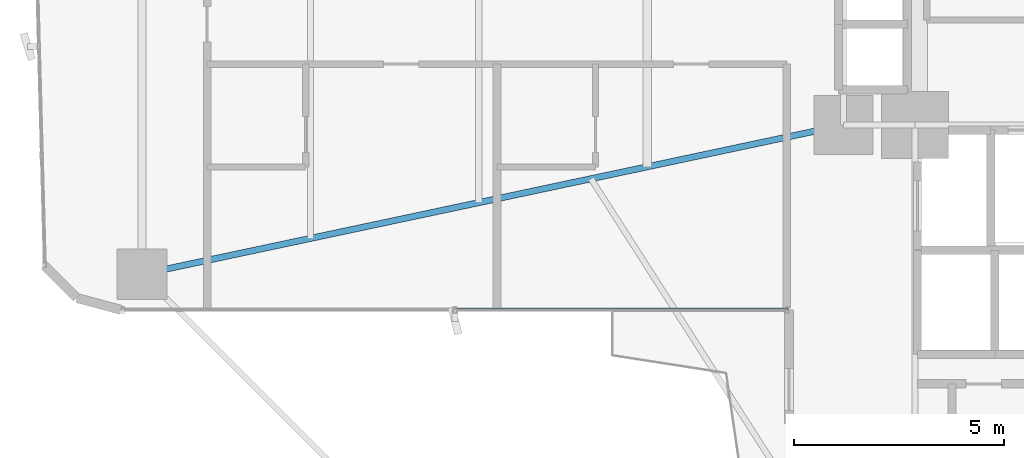
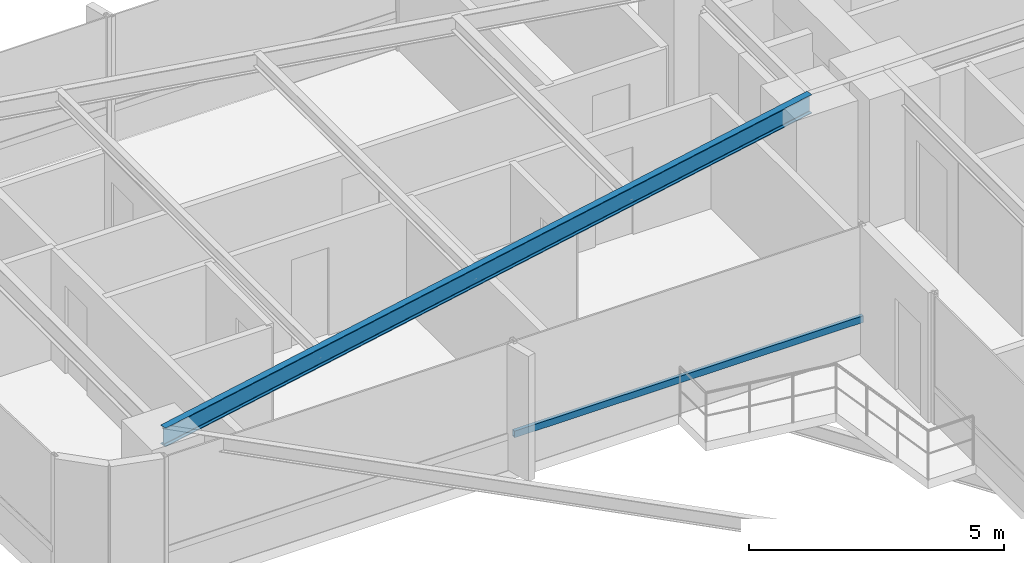
# One storey, part 7 of 26: 1 beam, 1 member, 1 element without a shape of its own.
"""IFC4 building model written with IfcOpenShell, lengths in metres."""

from ifc_helpers import new_model, si_unit, direction, frame, origin, origin_2d, place, context, subcontext, project, spatial, hollow_rectangle, i_section, extrude, source, transform, mapped, material, material_profile, profile_set, type_object, element, aggregate, save


model = new_model("IFC4")

# Units and contexts
model_context = context("Model", 3, precision=1e-05, world=origin(), true_north=direction((0.0, 1.0)))
body_context = subcontext(model_context, "Body", "Model", "MODEL_VIEW")
ifc_project = project(units=[si_unit("LENGTHUNIT", "METRE"), si_unit("AREAUNIT", "SQUARE_METRE"), si_unit("VOLUMEUNIT", "CUBIC_METRE"), si_unit("PLANEANGLEUNIT", "RADIAN"), si_unit("MASSUNIT", "GRAM", prefix="KILO")], contexts=[model_context])

# Site, building, storey
site_placement = place(None, origin())
site = spatial("IfcSite", under=ifc_project, at=site_placement, CompositionType="ELEMENT")
building_placement = place(site_placement, origin())
building = spatial("IfcBuilding", under=site, at=building_placement, Name="Sahyath Konkavel Grand Hotel", CompositionType="ELEMENT")
storey_placement = place(building_placement, frame((0.0, 0.0, 51.050048828125)))
storey = spatial("IfcBuildingStorey", under=building, at=storey_placement, Name="L13", CompositionType="ELEMENT", Elevation=51.050048828125)

# Beam
ifc_material_1 = material(Name="Steel E350", Category="steel")
ifc_material_profile_1 = material_profile(ifc_material_1, i_section(OverallWidth=0.14990234375, OverallDepth=0.449951171875, WebThickness=0.009521484375, FlangeThickness=0.017333984375, FilletRadius=0.014892578125, at=origin_2d()), Name="ISMB 450")
ifc_profile_set_1 = profile_set([ifc_material_profile_1], Name="Steel E350")
beam_type = type_object("IfcBeamType", Name="BM-ISMB450", PredefinedType="BEAM", material=ifc_profile_set_1)
shared_shape_1 = source(origin(), body_context, "Body", "SweptSolid", [
    extrude(i_section(OverallWidth=0.14990234375, OverallDepth=0.449951171875, WebThickness=0.009521484375, FlangeThickness=0.017333984375, FilletRadius=0.014892578125, at=origin_2d()), origin(), (0.0, 0.0, 1.0), 17.072998046875),
])
beam_placement = place(storey_placement, frame((-5.5, -2.39990234375, 2.885009765625), z_axis=(-0.978143257225, -0.20793212437, 0.0), x_axis=(0.20793212437, -0.978143257225, 0.0)))
element("IfcBeam", 1, at=beam_placement, inside=storey, type_object=beam_type, Name="L13 Cruciform Radial Girder WB", PredefinedType="BEAM", context=body_context, shape_type="MappedRepresentation", body=[
    mapped(shared_shape_1, transform((0.0, 0.0, 0.0), scale=1.0)),
])

# Curtain wall, member
ifc_material_2 = material(Name="Anodised Bronze Aluminium & Low-E Glazing", Category="aluminium")
curtain_wall_type = type_object("IfcCurtainWallType", Name="CW-ZONE1", PredefinedType="NOTDEFINED", material=ifc_material_2)
curtain_wall_placement = place(storey_placement, origin())
curtain_wall = element("IfcCurtainWall", 2, at=curtain_wall_placement, inside=storey, type_object=curtain_wall_type, Name="L13 Unitised Curtain Wall F23", PredefinedType="NOTDEFINED")
ifc_material_3 = material(Name="Anodised Bronze Aluminium", Category="aluminium")
ifc_material_profile_2 = material_profile(ifc_material_3, hollow_rectangle(XDim=0.080078125, YDim=0.159912109375, WallThickness=0.006103515625, at=origin_2d()), Name="RHS 160x80x6")
ifc_profile_set_2 = profile_set([ifc_material_profile_2], Name="Anodised Bronze Aluminium")
member_type = type_object("IfcMemberType", Name="CW-TRN-160", PredefinedType="USERDEFINED", material=ifc_profile_set_2)
shared_shape_2 = source(origin(), body_context, "Body", "SweptSolid", [
    extrude(hollow_rectangle(XDim=0.080078125, YDim=0.159912109375, WallThickness=0.006103515625, at=origin_2d()), origin(), (0.0, 0.0, 1.0), 7.909912109375),
])
member_placement = place(storey_placement, frame((-14.75, -6.800048828125, 0.849853515625), z_axis=(1.0, 0.0, 0.0), x_axis=(0.0, 1.0, 0.0)))
member = element("IfcMember", 3, at=member_placement, type_object=member_type, Name="L13 Curtain Wall Transom F23-1-spandrel", ObjectType="TRANSOM", PredefinedType="USERDEFINED", context=body_context, shape_type="MappedRepresentation", body=[
    mapped(shared_shape_2, transform((0.0, 0.0, 0.0), scale=1.0)),
])
aggregate(curtain_wall, [member])

save(model, "model.ifc")
